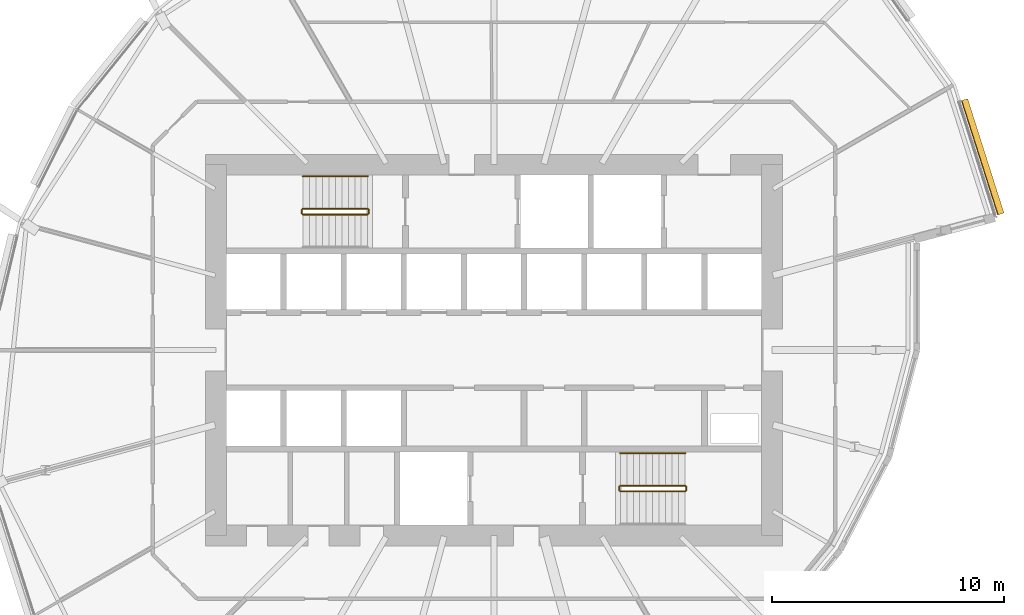
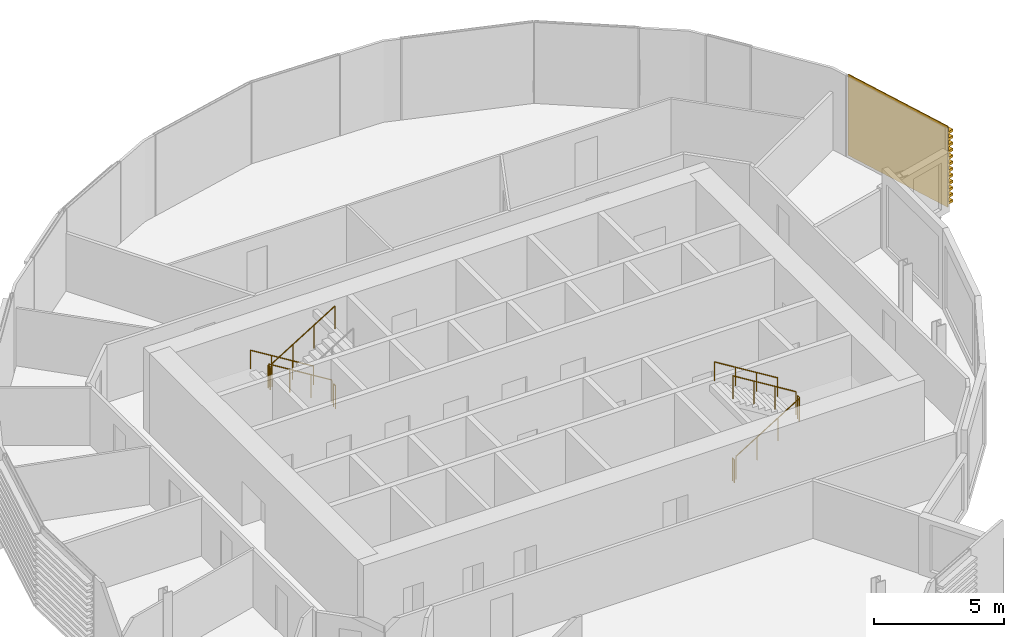
# One storey, part 37 of 38: 10 railings, 1 covering.
"""IFC4 building model written with IfcOpenShell, lengths in metres."""

from ifc_helpers import new_model, si_unit, direction, frame, origin, origin_2d, place, context, subcontext, project, spatial, polyline, circle, outline, extrude, material, material_profile, profile_set, type_object, element, save


model = new_model("IFC4")

# Units and contexts
model_context = context("Model", 3, precision=1e-05, world=origin(), true_north=direction((0.0, 1.0)))
body_context = subcontext(model_context, "Body", "Model", "MODEL_VIEW")
ifc_project = project(units=[si_unit("LENGTHUNIT", "METRE"), si_unit("AREAUNIT", "SQUARE_METRE"), si_unit("VOLUMEUNIT", "CUBIC_METRE"), si_unit("PLANEANGLEUNIT", "RADIAN"), si_unit("MASSUNIT", "GRAM", prefix="KILO")], contexts=[model_context])

# Site, building, storey
site_placement = place(None, origin())
site = spatial("IfcSite", under=ifc_project, at=site_placement, CompositionType="ELEMENT")
building_placement = place(site_placement, origin())
building = spatial("IfcBuilding", under=site, at=building_placement, Name="Rimbun Link Towers", CompositionType="ELEMENT")
storey_placement = place(building_placement, frame((0.0, 0.0, 56.60009765625)))
storey = spatial("IfcBuildingStorey", under=building, at=storey_placement, Name="L13", CompositionType="ELEMENT", Elevation=56.60009765625)

# Railings
ifc_material_1 = material(Name="Stainless steel grade 316", Category="steel")
railing_type_1 = type_object("IfcRailingType", Name="Stair guard", PredefinedType="GUARDRAIL", material=ifc_material_1)
railing_1_placement = place(storey_placement, frame((26.300048828125, 6.10009765625, 0.172607421875)))
element("IfcRailing", 1, at=railing_1_placement, inside=storey, type_object=railing_type_1, Name="L13 ST3 stair guard 1", PredefinedType="GUARDRAIL", context=body_context, shape_type="SweptSolid", body=[
    extrude(circle(Radius=0.02392578125, at=origin_2d()), frame((0.0, 0.0, 1.076171875), z_axis=(-0.851089632645, 0.0, 0.525020415988), x_axis=(0.0, -1.0, 0.0)), (0.0, 0.0, 1.0), 3.2900390625),
    extrude(circle(Radius=0.02099609375, at=origin_2d()), origin(), (0.0, 0.0, 1.0), 1.052001953125),
    extrude(circle(Radius=0.02099609375, at=origin_2d()), frame((-0.933349609375, 0.0, 0.57568359375)), (0.0, 0.0, 1.0), 1.052001953125),
    extrude(circle(Radius=0.02099609375, at=origin_2d()), frame((-1.86669921875, 0.0, 1.151611328125)), (0.0, 0.0, 1.0), 1.052001953125),
    extrude(circle(Radius=0.02099609375, at=origin_2d()), frame((-2.800048828125, 0.0, 1.727294921875)), (0.0, 0.0, 1.0), 1.052001953125),
])
railing_2_placement = place(storey_placement, frame((23.449951171875, 6.050048828125, 1.89990234375)))
element("IfcRailing", 2, at=railing_2_placement, inside=storey, type_object=railing_type_1, Name="L13 ST3 stair guard 2", PredefinedType="GUARDRAIL", context=body_context, shape_type="SweptSolid", body=[
    extrude(circle(Radius=0.02392578125, at=origin_2d()), frame((0.0, 0.0, 1.076171875), z_axis=(0.0, -1.0, 0.0), x_axis=(1.0, 0.0, 0.0)), (0.0, 0.0, 1.0), 0.150146484375),
    extrude(circle(Radius=0.02099609375, at=origin_2d()), origin(), (0.0, 0.0, 1.0), 1.052001953125),
    extrude(circle(Radius=0.02099609375, at=origin_2d()), frame((0.0, -0.150146484375, 0.0)), (0.0, 0.0, 1.0), 1.052001953125),
])
railing_3_placement = place(storey_placement, frame((23.5, 5.85009765625, 2.072509765625)))
element("IfcRailing", 3, at=railing_3_placement, inside=storey, type_object=railing_type_1, Name="L13 ST3 stair guard 3", PredefinedType="GUARDRAIL", context=body_context, shape_type="SweptSolid", body=[
    extrude(circle(Radius=0.02392578125, at=origin_2d()), frame((0.0, 0.0, 1.076171875), z_axis=(0.851089632645, 0.0, 0.525020415988), x_axis=(0.0, 1.0, 0.0)), (0.0, 0.0, 1.0), 3.2900390625),
    extrude(circle(Radius=0.02099609375, at=origin_2d()), origin(), (0.0, 0.0, 1.0), 1.052001953125),
    extrude(circle(Radius=0.02099609375, at=origin_2d()), frame((0.933349609375, 0.0, 0.57568359375)), (0.0, 0.0, 1.0), 1.052001953125),
    extrude(circle(Radius=0.02099609375, at=origin_2d()), frame((1.86669921875, 0.0, 1.151611328125)), (0.0, 0.0, 1.0), 1.052001953125),
    extrude(circle(Radius=0.02099609375, at=origin_2d()), frame((2.800048828125, 0.0, 1.727294921875)), (0.0, 0.0, 1.0), 1.052001953125),
])
railing_4_placement = place(storey_placement, frame((26.35009765625, 6.050048828125, 0.0)))
element("IfcRailing", 4, at=railing_4_placement, inside=storey, type_object=railing_type_1, Name="L13 ST3 stair guard 4", PredefinedType="GUARDRAIL", context=body_context, shape_type="SweptSolid", body=[
    extrude(circle(Radius=0.02392578125, at=origin_2d()), frame((0.0, 0.0, 1.076171875), z_axis=(0.0, -1.0, 0.0), x_axis=(1.0, 0.0, 0.0)), (0.0, 0.0, 1.0), 0.150146484375),
    extrude(circle(Radius=0.02099609375, at=origin_2d()), origin(), (0.0, 0.0, 1.0), 1.052001953125),
    extrude(circle(Radius=0.02099609375, at=origin_2d()), frame((0.0, -0.150146484375, 0.0)), (0.0, 0.0, 1.0), 1.052001953125),
])
railing_5_placement = place(storey_placement, frame((37.199951171875, -6.10009765625, 0.172607421875)))
element("IfcRailing", 5, at=railing_5_placement, inside=storey, type_object=railing_type_1, Name="L13 ST4 stair guard 1", PredefinedType="GUARDRAIL", context=body_context, shape_type="SweptSolid", body=[
    extrude(circle(Radius=0.02392578125, at=origin_2d()), frame((0.0, 0.0, 1.076171875), z_axis=(0.851089632645, 0.0, 0.525020415988), x_axis=(0.0, 1.0, 0.0)), (0.0, 0.0, 1.0), 3.2900390625),
    extrude(circle(Radius=0.02099609375, at=origin_2d()), origin(), (0.0, 0.0, 1.0), 1.052001953125),
    extrude(circle(Radius=0.02099609375, at=origin_2d()), frame((0.933349609375, 0.0, 0.57568359375)), (0.0, 0.0, 1.0), 1.052001953125),
    extrude(circle(Radius=0.02099609375, at=origin_2d()), frame((1.86669921875, 0.0, 1.151611328125)), (0.0, 0.0, 1.0), 1.052001953125),
    extrude(circle(Radius=0.02099609375, at=origin_2d()), frame((2.800048828125, 0.0, 1.727294921875)), (0.0, 0.0, 1.0), 1.052001953125),
])
railing_6_placement = place(storey_placement, frame((40.050048828125, -6.050048828125, 1.89990234375)))
element("IfcRailing", 6, at=railing_6_placement, inside=storey, type_object=railing_type_1, Name="L13 ST4 stair guard 2", PredefinedType="GUARDRAIL", context=body_context, shape_type="SweptSolid", body=[
    extrude(circle(Radius=0.02392578125, at=origin_2d()), frame((0.0, 0.0, 1.076171875), z_axis=(0.0, 1.0, 0.0), x_axis=(-1.0, 0.0, 0.0)), (0.0, 0.0, 1.0), 0.150146484375),
    extrude(circle(Radius=0.02099609375, at=origin_2d()), origin(), (0.0, 0.0, 1.0), 1.052001953125),
    extrude(circle(Radius=0.02099609375, at=origin_2d()), frame((0.0, 0.150146484375, 0.0)), (0.0, 0.0, 1.0), 1.052001953125),
])
railing_7_placement = place(storey_placement, frame((40.0, -5.85009765625, 2.072509765625)))
element("IfcRailing", 7, at=railing_7_placement, inside=storey, type_object=railing_type_1, Name="L13 ST4 stair guard 3", PredefinedType="GUARDRAIL", context=body_context, shape_type="SweptSolid", body=[
    extrude(circle(Radius=0.02392578125, at=origin_2d()), frame((0.0, 0.0, 1.076171875), z_axis=(-0.851089632645, 0.0, 0.525020415988), x_axis=(0.0, -1.0, 0.0)), (0.0, 0.0, 1.0), 3.2900390625),
    extrude(circle(Radius=0.02099609375, at=origin_2d()), origin(), (0.0, 0.0, 1.0), 1.052001953125),
    extrude(circle(Radius=0.02099609375, at=origin_2d()), frame((-0.933349609375, 0.0, 0.57568359375)), (0.0, 0.0, 1.0), 1.052001953125),
    extrude(circle(Radius=0.02099609375, at=origin_2d()), frame((-1.86669921875, 0.0, 1.151611328125)), (0.0, 0.0, 1.0), 1.052001953125),
    extrude(circle(Radius=0.02099609375, at=origin_2d()), frame((-2.800048828125, 0.0, 1.727294921875)), (0.0, 0.0, 1.0), 1.052001953125),
])
railing_8_placement = place(storey_placement, frame((37.14990234375, -6.050048828125, 0.0)))
element("IfcRailing", 8, at=railing_8_placement, inside=storey, type_object=railing_type_1, Name="L13 ST4 stair guard 4", PredefinedType="GUARDRAIL", context=body_context, shape_type="SweptSolid", body=[
    extrude(circle(Radius=0.02392578125, at=origin_2d()), frame((0.0, 0.0, 1.076171875), z_axis=(0.0, 1.0, 0.0), x_axis=(-1.0, 0.0, 0.0)), (0.0, 0.0, 1.0), 0.150146484375),
    extrude(circle(Radius=0.02099609375, at=origin_2d()), origin(), (0.0, 0.0, 1.0), 1.052001953125),
    extrude(circle(Radius=0.02099609375, at=origin_2d()), frame((0.0, 0.150146484375, 0.0)), (0.0, 0.0, 1.0), 1.052001953125),
])
ifc_material_2 = material(Name="Stainless steel grade 316", Category="steel")
railing_type_2 = type_object("IfcRailingType", Name="Stair handrail", PredefinedType="HANDRAIL", material=ifc_material_2)
for number, where, name in (
    (9, (26.300048828125, 7.5, 0.172607421875), "L13 ST3 stair handrail 1"),
    (10, (40.0, -4.449951171875, 2.072509765625), "L13 ST4 stair handrail 2"),
):
    element("IfcRailing", number, at=place(storey_placement, frame(where)), inside=storey, type_object=railing_type_2, Name=name, PredefinedType="HANDRAIL", context=body_context, shape_type="SweptSolid", body=[
        extrude(circle(Radius=0.02392578125, at=origin_2d()), frame((0.0, 0.0, 0.8759765625), z_axis=(-0.851089632645, 0.0, 0.525020415988), x_axis=(0.0, -1.0, 0.0)), (0.0, 0.0, 1.0), 3.2900390625),
        extrude(circle(Radius=0.02099609375, at=origin_2d()), origin(), (0.0, 0.0, 1.0), 0.851806640625),
        extrude(circle(Radius=0.02099609375, at=origin_2d()), frame((-0.933349609375, 0.0, 0.57568359375)), (0.0, 0.0, 1.0), 0.851806640625),
        extrude(circle(Radius=0.02099609375, at=origin_2d()), frame((-1.86669921875, 0.0, 1.151611328125)), (0.0, 0.0, 1.0), 0.851806640625),
        extrude(circle(Radius=0.02099609375, at=origin_2d()), frame((-2.800048828125, 0.0, 1.727294921875)), (0.0, 0.0, 1.0), 0.851806640625),
    ])

# Covering
ifc_material_3 = material(Name="Terracotta", Category="masonry")
ifc_material_profile = material_profile(ifc_material_3, outline(polyline([(0.123046875, 0.0), (0.1630859375, 0.0), (0.1630859375, 0.10009765625), (0.423095703125, 0.10009765625), (0.423095703125, 0.219970703125), (0.1630859375, 0.219970703125), (0.1630859375, 0.39990234375), (0.423095703125, 0.39990234375), (0.423095703125, 0.52001953125), (0.1630859375, 0.52001953125), (0.1630859375, 0.699951171875), (0.423095703125, 0.699951171875), (0.423095703125, 0.820068359375), (0.1630859375, 0.820068359375), (0.1630859375, 1.0), (0.423095703125, 1.0), (0.423095703125, 1.1201171875), (0.1630859375, 1.1201171875), (0.1630859375, 1.300048828125), (0.423095703125, 1.300048828125), (0.423095703125, 1.419921875), (0.1630859375, 1.419921875), (0.1630859375, 1.60009765625), (0.423095703125, 1.60009765625), (0.423095703125, 1.719970703125), (0.1630859375, 1.719970703125), (0.1630859375, 1.89990234375), (0.423095703125, 1.89990234375), (0.423095703125, 2.02001953125), (0.1630859375, 2.02001953125), (0.1630859375, 2.199951171875), (0.423095703125, 2.199951171875), (0.423095703125, 2.320068359375), (0.1630859375, 2.320068359375), (0.1630859375, 2.5), (0.423095703125, 2.5), (0.423095703125, 2.6201171875), (0.1630859375, 2.6201171875), (0.1630859375, 2.800048828125), (0.423095703125, 2.800048828125), (0.423095703125, 2.919921875), (0.1630859375, 2.919921875), (0.1630859375, 3.10009765625), (0.423095703125, 3.10009765625), (0.423095703125, 3.219970703125), (0.1630859375, 3.219970703125), (0.1630859375, 3.39990234375), (0.423095703125, 3.39990234375), (0.423095703125, 3.52001953125), (0.1630859375, 3.52001953125), (0.1630859375, 3.800048828125), (0.123046875, 3.800048828125), (0.123046875, 0.0)])), Name="BAGUETTE 120X300")
ifc_profile_set = profile_set([ifc_material_profile], Name="Terracotta")
covering_type = type_object("IfcCoveringType", Name="TERRACOTTA BAGUETTE 120X300 H3800", PredefinedType="CLADDING", material=ifc_profile_set)
covering_placement = place(storey_placement, frame((51.789306640625, 10.7236328125, 0.0), z_axis=(0.303069353563, -0.952968502591, 0.0), x_axis=(0.952968502591, 0.303069353563, 0.0)))
element("IfcCovering", 11, at=covering_placement, inside=storey, type_object=covering_type, Name="TERRACOTTA BAGUETTE", PredefinedType="CLADDING", context=body_context, shape_type="SweptSolid", body=[
    extrude(outline(polyline([(0.123046875, 0.0), (0.1630859375, 0.0), (0.1630859375, 0.10009765625), (0.423095703125, 0.10009765625), (0.423095703125, 0.219970703125), (0.1630859375, 0.219970703125), (0.1630859375, 0.39990234375), (0.423095703125, 0.39990234375), (0.423095703125, 0.52001953125), (0.1630859375, 0.52001953125), (0.1630859375, 0.699951171875), (0.423095703125, 0.699951171875), (0.423095703125, 0.820068359375), (0.1630859375, 0.820068359375), (0.1630859375, 1.0), (0.423095703125, 1.0), (0.423095703125, 1.1201171875), (0.1630859375, 1.1201171875), (0.1630859375, 1.300048828125), (0.423095703125, 1.300048828125), (0.423095703125, 1.419921875), (0.1630859375, 1.419921875), (0.1630859375, 1.60009765625), (0.423095703125, 1.60009765625), (0.423095703125, 1.719970703125), (0.1630859375, 1.719970703125), (0.1630859375, 1.89990234375), (0.423095703125, 1.89990234375), (0.423095703125, 2.02001953125), (0.1630859375, 2.02001953125), (0.1630859375, 2.199951171875), (0.423095703125, 2.199951171875), (0.423095703125, 2.320068359375), (0.1630859375, 2.320068359375), (0.1630859375, 2.5), (0.423095703125, 2.5), (0.423095703125, 2.6201171875), (0.1630859375, 2.6201171875), (0.1630859375, 2.800048828125), (0.423095703125, 2.800048828125), (0.423095703125, 2.919921875), (0.1630859375, 2.919921875), (0.1630859375, 3.10009765625), (0.423095703125, 3.10009765625), (0.423095703125, 3.219970703125), (0.1630859375, 3.219970703125), (0.1630859375, 3.39990234375), (0.423095703125, 3.39990234375), (0.423095703125, 3.52001953125), (0.1630859375, 3.52001953125), (0.1630859375, 3.800048828125), (0.123046875, 3.800048828125), (0.123046875, 0.0)])), origin(), (0.0, 0.0, 1.0), 5.17724609375),
])

save(model, "model.ifc")
